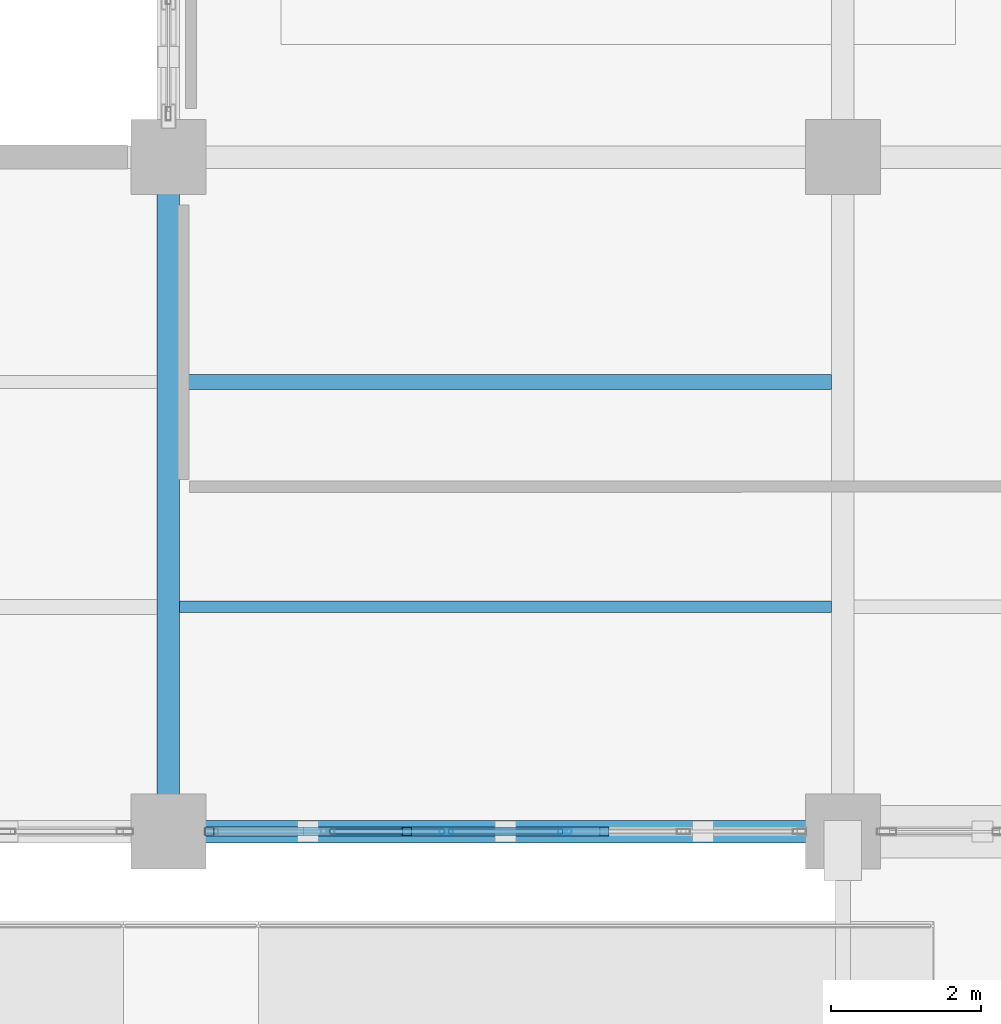
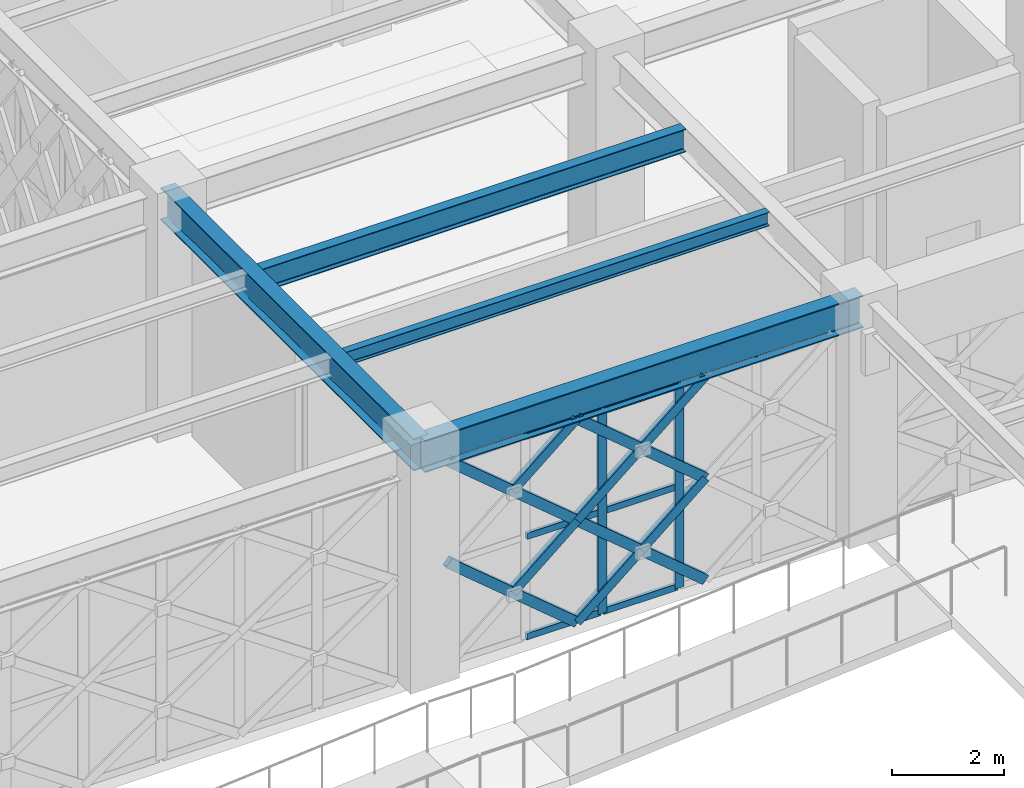
# One storey, part 38 of 140: 18 members, 4 beams, 1 element without a shape of its own.
"""IFC4 building model written with IfcOpenShell, lengths in metres."""

from ifc_helpers import new_model, si_unit, direction, frame, origin, origin_2d, place, context, subcontext, project, spatial, hollow_rectangle, i_section, extrude, material, material_profile, profile_set, type_object, element, aggregate, save


model = new_model("IFC4")

# Units and contexts
model_context = context("Model", 3, precision=1e-05, world=origin(), true_north=direction((0.0, 1.0)))
body_context = subcontext(model_context, "Body", "Model", "MODEL_VIEW")
ifc_project = project(units=[si_unit("LENGTHUNIT", "METRE"), si_unit("AREAUNIT", "SQUARE_METRE"), si_unit("VOLUMEUNIT", "CUBIC_METRE"), si_unit("PLANEANGLEUNIT", "RADIAN"), si_unit("MASSUNIT", "GRAM", prefix="KILO")], contexts=[model_context])

# Site, building, storey
site_placement = place(None, origin())
site = spatial("IfcSite", under=ifc_project, at=site_placement, CompositionType="ELEMENT")
building_placement = place(site_placement, origin())
building = spatial("IfcBuilding", under=site, at=building_placement, Name="Haizhuo Lancet Aquarium", CompositionType="ELEMENT")
storey_placement = place(building_placement, origin())
storey = spatial("IfcBuildingStorey", under=building, at=storey_placement, Name="L00", CompositionType="ELEMENT", Elevation=0.0)

# Beams
ifc_material_1 = material(Name="Steel S355", Category="steel")
ifc_material_profile_1 = material_profile(ifc_material_1, i_section(OverallWidth=0.300048828125, OverallDepth=0.699951171875, WebThickness=0.012939453125, FlangeThickness=0.02392578125, FilletRadius=0.02587890625, at=origin_2d()), Name="HN 700x300x13x24")
ifc_profile_set_1 = profile_set([ifc_material_profile_1], Name="Steel S355")
beam_type_1 = type_object("IfcBeamType", Name="BM-ST-HN700", PredefinedType="BEAM", material=ifc_profile_set_1)
for number, where, z_axis, x_axis, name in (
    (1, (-72.0, 9.0, 4.77001953125), (0.0, 1.0, 0.0), (-1.0, 0.0, 0.0), "L00 V2 primary girder BM-L00-V2-004"),
    (2, (-72.0, 9.0, 4.77001953125), (1.0, 0.0, 0.0), (0.0, 1.0, 0.0), "L00 V2 primary girder BM-L00-V2-005"),
):
    element("IfcBeam", number, at=place(storey_placement, frame(where, z_axis=z_axis, x_axis=x_axis)), inside=storey, type_object=beam_type_1, Name=name, PredefinedType="BEAM", context=body_context, shape_type="SweptSolid", body=[
        extrude(i_section(OverallWidth=0.300048828125, OverallDepth=0.699951171875, WebThickness=0.012939453125, FlangeThickness=0.02392578125, FilletRadius=0.02587890625, at=origin_2d()), origin(), (0.0, 0.0, 1.0), 9.0),
    ])

# Curtain wall, members
ifc_material_2 = material(Name="Aluminium 6063-T6", Category="aluminium")
curtain_wall_type = type_object("IfcCurtainWallType", Name="CWO-7910x4420", PredefinedType="NOTDEFINED", material=ifc_material_2)
curtain_wall_placement = place(storey_placement, origin())
curtain_wall = element("IfcCurtainWall", 3, at=curtain_wall_placement, inside=storey, type_object=curtain_wall_type, Name="L00 curtain wall CW-V2-L00-019", PredefinedType="NOTDEFINED")
ifc_material_profile_2 = material_profile(ifc_material_2, hollow_rectangle(XDim=0.06494140625, YDim=0.179931640625, WallThickness=0.00390625, at=origin_2d()), Name="ALU-M 65x180x4")
ifc_profile_set_2 = profile_set([ifc_material_profile_2], Name="Aluminium 6063-T6")
member_type_1 = type_object("IfcMemberType", Name="CW-MUL-1", PredefinedType="MULLION", material=ifc_profile_set_2)
member_1_placement = place(storey_placement, frame((-66.708984375, 9.0, 0.0), z_axis=(0.0, 0.0, 1.0), x_axis=(0.0, -1.0, 0.0)))
member_1 = element("IfcMember", 4, at=member_1_placement, type_object=member_type_1, Name="CWO-79x44 mullion 3", PredefinedType="MULLION", context=body_context, shape_type="SweptSolid", body=[
    extrude(hollow_rectangle(XDim=0.06494140625, YDim=0.179931640625, WallThickness=0.00390625, at=origin_2d()), origin(), (0.0, 0.0, 1.0), 4.419921875),
])
member_2_placement = place(storey_placement, frame((-68.291015625, 9.0, 0.0), z_axis=(0.0, 0.0, 1.0), x_axis=(0.0, -1.0, 0.0)))
member_2 = element("IfcMember", 5, at=member_2_placement, type_object=member_type_1, Name="CWO-79x44 mullion 4", PredefinedType="MULLION", context=body_context, shape_type="SweptSolid", body=[
    extrude(hollow_rectangle(XDim=0.06494140625, YDim=0.179931640625, WallThickness=0.00390625, at=origin_2d()), origin(), (0.0, 0.0, 1.0), 4.419921875),
])
ifc_material_profile_3 = material_profile(ifc_material_2, hollow_rectangle(XDim=0.06494140625, YDim=0.139892578125, WallThickness=0.00390625, at=origin_2d()), Name="ALU-T 65x140x4")
ifc_profile_set_3 = profile_set([ifc_material_profile_3], Name="Aluminium 6063-T6")
member_type_2 = type_object("IfcMemberType", Name="CW-TRN-1", PredefinedType="NOTDEFINED", material=ifc_profile_set_3)
member_3_placement = place(storey_placement, frame((-66.741943359375, 9.0, 0.032958984375), z_axis=(-1.0, 0.0, 0.0), x_axis=(0.0, -1.0, 0.0)))
member_3 = element("IfcMember", 6, at=member_3_placement, type_object=member_type_2, Name="CWO-79x44 transom 3.1", ObjectType="TRANSOM", PredefinedType="USERDEFINED", context=body_context, shape_type="SweptSolid", body=[
    extrude(hollow_rectangle(XDim=0.06494140625, YDim=0.139892578125, WallThickness=0.00390625, at=origin_2d()), origin(), (0.0, 0.0, 1.0), 1.51611328125),
])
member_4_placement = place(storey_placement, frame((-66.741943359375, 9.0, 2.2099609375), z_axis=(-1.0, 0.0, 0.0), x_axis=(0.0, -1.0, 0.0)))
member_4 = element("IfcMember", 7, at=member_4_placement, type_object=member_type_2, Name="CWO-79x44 transom 3.2", ObjectType="TRANSOM", PredefinedType="USERDEFINED", context=body_context, shape_type="SweptSolid", body=[
    extrude(hollow_rectangle(XDim=0.06494140625, YDim=0.139892578125, WallThickness=0.00390625, at=origin_2d()), origin(), (0.0, 0.0, 1.0), 1.51611328125),
])
member_5_placement = place(storey_placement, frame((-66.741943359375, 9.0, 4.387939453125), z_axis=(-1.0, 0.0, 0.0), x_axis=(0.0, -1.0, 0.0)))
member_5 = element("IfcMember", 8, at=member_5_placement, type_object=member_type_2, Name="CWO-79x44 transom 3.3", ObjectType="TRANSOM", PredefinedType="USERDEFINED", context=body_context, shape_type="SweptSolid", body=[
    extrude(hollow_rectangle(XDim=0.06494140625, YDim=0.139892578125, WallThickness=0.00390625, at=origin_2d()), origin(), (0.0, 0.0, 1.0), 1.51611328125),
])
member_6_placement = place(storey_placement, frame((-68.322998046875, 9.0, 0.032958984375), z_axis=(-1.0, 0.0, 0.0), x_axis=(0.0, -1.0, 0.0)))
member_6 = element("IfcMember", 9, at=member_6_placement, type_object=member_type_2, Name="CWO-79x44 transom 4.1", ObjectType="TRANSOM", PredefinedType="USERDEFINED", context=body_context, shape_type="SweptSolid", body=[
    extrude(hollow_rectangle(XDim=0.06494140625, YDim=0.139892578125, WallThickness=0.00390625, at=origin_2d()), origin(), (0.0, 0.0, 1.0), 1.51806640625),
])
member_7_placement = place(storey_placement, frame((-68.322998046875, 9.0, 2.2099609375), z_axis=(-1.0, 0.0, 0.0), x_axis=(0.0, -1.0, 0.0)))
member_7 = element("IfcMember", 10, at=member_7_placement, type_object=member_type_2, Name="CWO-79x44 transom 4.2", ObjectType="TRANSOM", PredefinedType="USERDEFINED", context=body_context, shape_type="SweptSolid", body=[
    extrude(hollow_rectangle(XDim=0.06494140625, YDim=0.139892578125, WallThickness=0.00390625, at=origin_2d()), origin(), (0.0, 0.0, 1.0), 1.51806640625),
])
member_8_placement = place(storey_placement, frame((-68.322998046875, 9.0, 4.387939453125), z_axis=(-1.0, 0.0, 0.0), x_axis=(0.0, -1.0, 0.0)))
member_8 = element("IfcMember", 11, at=member_8_placement, type_object=member_type_2, Name="CWO-79x44 transom 4.3", ObjectType="TRANSOM", PredefinedType="USERDEFINED", context=body_context, shape_type="SweptSolid", body=[
    extrude(hollow_rectangle(XDim=0.06494140625, YDim=0.139892578125, WallThickness=0.00390625, at=origin_2d()), origin(), (0.0, 0.0, 1.0), 1.51806640625),
])
aggregate(curtain_wall, [member_1, member_2, member_3, member_4, member_5, member_6, member_7, member_8])

# Beams
ifc_material_profile_4 = material_profile(ifc_material_1, i_section(OverallWidth=0.14990234375, OverallDepth=0.300048828125, WebThickness=0.006591796875, FlangeThickness=0.009033203125, FilletRadius=0.012939453125, at=origin_2d()), Name="HN 300x150x6.5x9")
ifc_profile_set_4 = profile_set([ifc_material_profile_4], Name="Steel S355")
beam_type_2 = type_object("IfcBeamType", Name="JST-ST-HN300", PredefinedType="JOIST", material=ifc_profile_set_4)
beam_1_placement = place(storey_placement, frame((-71.85009765625, 12.0, 4.969970703125), z_axis=(1.0, 0.0, 0.0), x_axis=(0.0, 1.0, 0.0)))
element("IfcBeam", 12, at=beam_1_placement, inside=storey, type_object=beam_type_2, Name="L00 V2 secondary floor joist 3", PredefinedType="JOIST", context=body_context, shape_type="SweptSolid", body=[
    extrude(i_section(OverallWidth=0.14990234375, OverallDepth=0.300048828125, WebThickness=0.006591796875, FlangeThickness=0.009033203125, FilletRadius=0.012939453125, at=origin_2d()), origin(), (0.0, 0.0, 1.0), 8.7001953125),
])
ifc_material_profile_5 = material_profile(ifc_material_1, i_section(OverallWidth=0.199951171875, OverallDepth=0.5, WebThickness=0.010009765625, FlangeThickness=0.01611328125, FilletRadius=0.02001953125, at=origin_2d()), Name="HN 500x200x10x16")
ifc_profile_set_5 = profile_set([ifc_material_profile_5], Name="Steel S355")
beam_type_3 = type_object("IfcBeamType", Name="JST-ST-HN500", PredefinedType="JOIST", material=ifc_profile_set_5)
beam_2_placement = place(storey_placement, frame((-71.85009765625, 15.0, 4.8701171875), z_axis=(1.0, 0.0, 0.0), x_axis=(0.0, 1.0, 0.0)))
element("IfcBeam", 13, at=beam_2_placement, inside=storey, type_object=beam_type_3, Name="L00 V2 secondary floor joist 4", PredefinedType="JOIST", context=body_context, shape_type="SweptSolid", body=[
    extrude(i_section(OverallWidth=0.199951171875, OverallDepth=0.5, WebThickness=0.010009765625, FlangeThickness=0.01611328125, FilletRadius=0.02001953125, at=origin_2d()), origin(), (0.0, 0.0, 1.0), 8.7001953125),
])

# Members
ifc_material_profile_6 = material_profile(ifc_material_1, hollow_rectangle(XDim=0.1201171875, YDim=0.199951171875, WallThickness=0.008056640625, at=origin_2d()), Name="RHS 120x200x8")
ifc_profile_set_6 = profile_set([ifc_material_profile_6], Name="Steel S355")
member_type_3 = type_object("IfcMemberType", Name="MEM-LB-RHS120x200", PredefinedType="BRACE", material=ifc_profile_set_6)
member_9_placement = place(storey_placement, frame((-66.181884765625, 9.0, 0.0), z_axis=(-0.766344822145, 0.0, 0.642429461943), x_axis=(0.0, -1.0, 0.0)))
element("IfcMember", 14, at=member_9_placement, inside=storey, type_object=member_type_3, Name="Gothic lancet continuous diagonal brace CW-V2-L00-019 3A", PredefinedType="BRACE", context=body_context, shape_type="SweptSolid", body=[
    extrude(hollow_rectangle(XDim=0.1201171875, YDim=0.199951171875, WallThickness=0.008056640625, at=origin_2d()), origin(), (0.0, 0.0, 1.0), 3.43994140625),
])
for number, where, z_axis, x_axis, name in (
    (15, (-68.818115234375, 9.0, 0.0), (0.766344822145, 0.0, 0.642429461943), (0.0, 1.0, 0.0), "Gothic lancet split diagonal brace CW-V2-L00-019 3B1"),
    (16, (-67.5, 9.0, 1.10498046875), (0.766344822145, 0.0, 0.642429461943), (0.0, 1.0, 0.0), "Gothic lancet split diagonal brace CW-V2-L00-019 3B2"),
):
    element("IfcMember", number, at=place(storey_placement, frame(where, z_axis=z_axis, x_axis=x_axis)), inside=storey, type_object=member_type_3, Name=name, PredefinedType="BRACE", context=body_context, shape_type="SweptSolid", body=[
        extrude(hollow_rectangle(XDim=0.1201171875, YDim=0.199951171875, WallThickness=0.008056640625, at=origin_2d()), origin(), (0.0, 0.0, 1.0), 1.719970703125),
    ])
member_10_placement = place(storey_placement, frame((-66.181884765625, 9.0, 2.2099609375), z_axis=(-0.766344822145, 0.0, 0.642429461943), x_axis=(0.0, -1.0, 0.0)))
element("IfcMember", 17, at=member_10_placement, inside=storey, type_object=member_type_3, Name="Gothic lancet continuous diagonal brace CW-V2-L00-019 4A", PredefinedType="BRACE", context=body_context, shape_type="SweptSolid", body=[
    extrude(hollow_rectangle(XDim=0.1201171875, YDim=0.199951171875, WallThickness=0.008056640625, at=origin_2d()), origin(), (0.0, 0.0, 1.0), 3.43994140625),
])
for number, where, z_axis, x_axis, name in (
    (18, (-68.818115234375, 9.0, 2.2099609375), (0.766344822145, 0.0, 0.642429461943), (0.0, 1.0, 0.0), "Gothic lancet split diagonal brace CW-V2-L00-019 4B1"),
    (19, (-67.5, 9.0, 3.31494140625), (0.766344822145, 0.0, 0.642429461943), (0.0, 1.0, 0.0), "Gothic lancet split diagonal brace CW-V2-L00-019 4B2"),
):
    element("IfcMember", number, at=place(storey_placement, frame(where, z_axis=z_axis, x_axis=x_axis)), inside=storey, type_object=member_type_3, Name=name, PredefinedType="BRACE", context=body_context, shape_type="SweptSolid", body=[
        extrude(hollow_rectangle(XDim=0.1201171875, YDim=0.199951171875, WallThickness=0.008056640625, at=origin_2d()), origin(), (0.0, 0.0, 1.0), 1.719970703125),
    ])
member_11_placement = place(storey_placement, frame((-68.818115234375, 9.0, 0.0), z_axis=(-0.766432673157, 0.0, 0.642324651182), x_axis=(0.0, -1.0, 0.0)))
element("IfcMember", 20, at=member_11_placement, inside=storey, type_object=member_type_3, Name="Gothic lancet continuous diagonal brace CW-V2-L00-019 5A", PredefinedType="BRACE", context=body_context, shape_type="SweptSolid", body=[
    extrude(hollow_rectangle(XDim=0.1201171875, YDim=0.199951171875, WallThickness=0.008056640625, at=origin_2d()), origin(), (0.0, 0.0, 1.0), 3.440673828125),
])
member_12_placement = place(storey_placement, frame((-70.135986328125, 9.0, 1.10498046875), z_axis=(0.766286230908, 0.0, 0.642499348109), x_axis=(0.0, 1.0, 0.0)))
element("IfcMember", 21, at=member_12_placement, inside=storey, type_object=member_type_3, Name="Gothic lancet split diagonal brace CW-V2-L00-019 5B2", PredefinedType="BRACE", context=body_context, shape_type="SweptSolid", body=[
    extrude(hollow_rectangle(XDim=0.1201171875, YDim=0.199951171875, WallThickness=0.008056640625, at=origin_2d()), origin(), (0.0, 0.0, 1.0), 1.7197265625),
])
member_13_placement = place(storey_placement, frame((-68.818115234375, 9.0, 2.2099609375), z_axis=(-0.766432673157, 0.0, 0.642324651182), x_axis=(0.0, -1.0, 0.0)))
element("IfcMember", 22, at=member_13_placement, inside=storey, type_object=member_type_3, Name="Gothic lancet continuous diagonal brace CW-V2-L00-019 6A", PredefinedType="BRACE", context=body_context, shape_type="SweptSolid", body=[
    extrude(hollow_rectangle(XDim=0.1201171875, YDim=0.199951171875, WallThickness=0.008056640625, at=origin_2d()), origin(), (0.0, 0.0, 1.0), 3.440673828125),
])
member_14_placement = place(storey_placement, frame((-70.135986328125, 9.0, 3.31494140625), z_axis=(0.766286230908, 0.0, 0.642499348109), x_axis=(0.0, 1.0, 0.0)))
element("IfcMember", 23, at=member_14_placement, inside=storey, type_object=member_type_3, Name="Gothic lancet split diagonal brace CW-V2-L00-019 6B2", PredefinedType="BRACE", context=body_context, shape_type="SweptSolid", body=[
    extrude(hollow_rectangle(XDim=0.1201171875, YDim=0.199951171875, WallThickness=0.008056640625, at=origin_2d()), origin(), (0.0, 0.0, 1.0), 1.7197265625),
])

save(model, "model.ifc")
